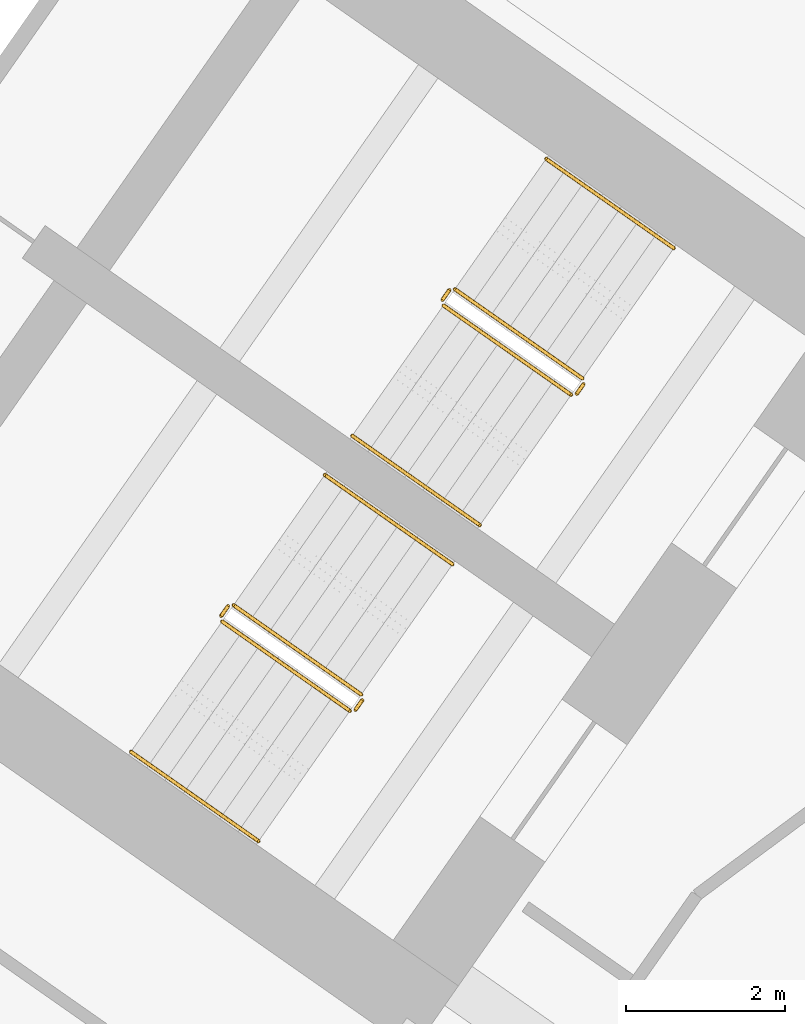
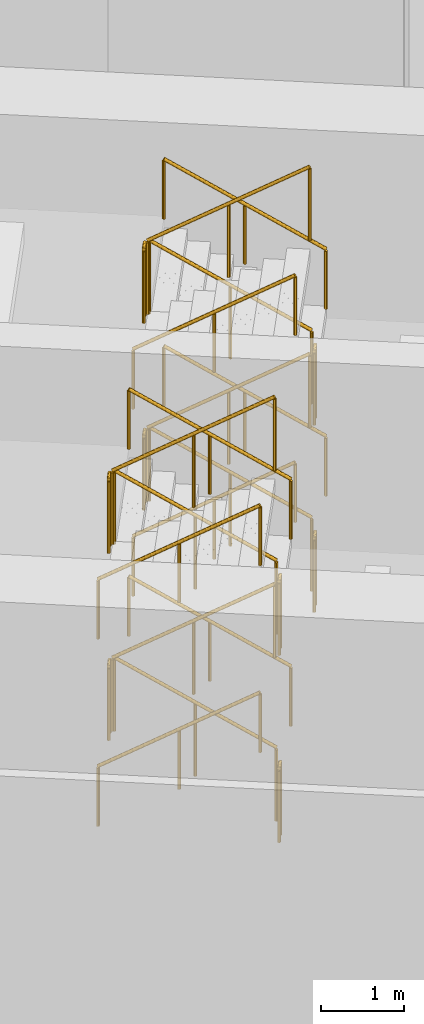
# One storey, part 15 of 15: 24 railings.
"""IFC4 building model written with IfcOpenShell, lengths in metres."""

from ifc_helpers import new_model, si_unit, direction, frame, origin, origin_2d, place, context, subcontext, project, spatial, circle, extrude, material, type_object, element, save


model = new_model("IFC4")

# Units and contexts
model_context = context("Model", 3, precision=1e-05, world=origin(), true_north=direction((0.0, 1.0)))
body_context = subcontext(model_context, "Body", "Model", "MODEL_VIEW")
ifc_project = project(units=[si_unit("LENGTHUNIT", "METRE"), si_unit("AREAUNIT", "SQUARE_METRE"), si_unit("VOLUMEUNIT", "CUBIC_METRE"), si_unit("PLANEANGLEUNIT", "RADIAN"), si_unit("MASSUNIT", "GRAM", prefix="KILO")], contexts=[model_context])

# Site, building, storey
site_placement = place(None, origin())
site = spatial("IfcSite", under=ifc_project, at=site_placement, CompositionType="ELEMENT")
building_placement = place(site_placement, origin())
building = spatial("IfcBuilding", under=site, at=building_placement, Name="Tel Ilan Convention Tower", CompositionType="ELEMENT")
storey_placement = place(building_placement, frame((0.0, 0.0, 43.0)))
storey = spatial("IfcBuildingStorey", under=building, at=storey_placement, Name="L06", CompositionType="ELEMENT", Elevation=43.0)

# Railings
ifc_material_1 = material(Name="Stainless Steel Grade 316", Category="steel")
railing_type_1 = type_object("IfcRailingType", Name="Stainless Steel Stair Guard 1100 mm", PredefinedType="GUARDRAIL", material=ifc_material_1)
railing_1_placement = place(storey_placement, frame((23.6787109375, -7.8515625, 0.171875)))
element("IfcRailing", 1, at=railing_1_placement, inside=storey, type_object=railing_type_1, Name="L06 S3 stair guard 1", PredefinedType="GUARDRAIL", context=body_context, shape_type="SweptSolid", body=[
    extrude(circle(Radius=0.02392578125, at=origin_2d()), frame((0.0, 0.0, 1.076171875), z_axis=(-0.698094737943, 0.488857400886, 0.523146421621), x_axis=(-0.573612813533, -0.819126571508, 0.0)), (0.0, 0.0, 1.0), 2.2998046875),
    extrude(circle(Radius=0.02099609375, at=origin_2d()), origin(), (0.0, 0.0, 1.0), 1.052001953125),
    extrude(circle(Radius=0.02099609375, at=origin_2d()), frame((-0.802734375, 0.56201171875, 0.6015625)), (0.0, 0.0, 1.0), 1.052001953125),
    extrude(circle(Radius=0.02099609375, at=origin_2d()), frame((-1.60546875, 1.124267578125, 1.203125)), (0.0, 0.0, 1.0), 1.052001953125),
])
railing_2_placement = place(storey_placement, frame((22.003662109375, -6.739501953125, 1.375)))
element("IfcRailing", 2, at=railing_2_placement, inside=storey, type_object=railing_type_1, Name="L06 S3 stair guard 2", PredefinedType="GUARDRAIL", context=body_context, shape_type="SweptSolid", body=[
    extrude(circle(Radius=0.02392578125, at=origin_2d()), frame((0.0, 0.0, 1.076171875), z_axis=(-0.57368046593, -0.819079192149, 0.0), x_axis=(0.819079192149, -0.57368046593, 0.0)), (0.0, 0.0, 1.0), 0.150146484375),
    extrude(circle(Radius=0.02099609375, at=origin_2d()), origin(), (0.0, 0.0, 1.0), 1.052001953125),
    extrude(circle(Radius=0.02099609375, at=origin_2d()), frame((-0.086181640625, -0.123046875, 0.0)), (0.0, 0.0, 1.0), 1.052001953125),
])
railing_3_placement = place(storey_placement, frame((21.929931640625, -6.93212890625, 1.546875)))
element("IfcRailing", 3, at=railing_3_placement, inside=storey, type_object=railing_type_1, Name="L06 S3 stair guard 3", PredefinedType="GUARDRAIL", context=body_context, shape_type="SweptSolid", body=[
    extrude(circle(Radius=0.02392578125, at=origin_2d()), frame((0.0, 0.0, 1.076171875), z_axis=(0.698094737943, -0.488857400886, 0.523146421621), x_axis=(0.573612813533, 0.819126571508, 0.0)), (0.0, 0.0, 1.0), 2.2998046875),
    extrude(circle(Radius=0.02099609375, at=origin_2d()), origin(), (0.0, 0.0, 1.0), 1.052001953125),
    extrude(circle(Radius=0.02099609375, at=origin_2d()), frame((0.802734375, -0.56201171875, 0.6015625)), (0.0, 0.0, 1.0), 1.052001953125),
    extrude(circle(Radius=0.02099609375, at=origin_2d()), frame((1.60546875, -1.124267578125, 1.203125)), (0.0, 0.0, 1.0), 1.052001953125),
])
railing_4_placement = place(storey_placement, frame((23.691162109375, -7.921142578125, 2.75)))
element("IfcRailing", 4, at=railing_4_placement, inside=storey, type_object=railing_type_1, Name="L06 S3 stair guard 4", PredefinedType="GUARDRAIL", context=body_context, shape_type="SweptSolid", body=[
    extrude(circle(Radius=0.02392578125, at=origin_2d()), frame((0.0, 0.0, 1.076171875), z_axis=(-0.574444878118, -0.818543268254, 0.0), x_axis=(0.818543268254, -0.574444878118, 0.0)), (0.0, 0.0, 1.0), 0.150146484375),
    extrude(circle(Radius=0.02099609375, at=origin_2d()), origin(), (0.0, 0.0, 1.0), 1.052001953125),
    extrude(circle(Radius=0.02099609375, at=origin_2d()), frame((-0.086181640625, -0.122802734375, 0.0)), (0.0, 0.0, 1.0), 1.052001953125),
])
railing_5_placement = place(storey_placement, frame((23.6787109375, -7.8515625, 2.921875)))
element("IfcRailing", 5, at=railing_5_placement, inside=storey, type_object=railing_type_1, Name="L06 S3 stair guard 5", PredefinedType="GUARDRAIL", context=body_context, shape_type="SweptSolid", body=[
    extrude(circle(Radius=0.02392578125, at=origin_2d()), frame((0.0, 0.0, 1.076171875), z_axis=(-0.698094737943, 0.488857400886, 0.523146421621), x_axis=(-0.573612813533, -0.819126571508, 0.0)), (0.0, 0.0, 1.0), 2.2998046875),
    extrude(circle(Radius=0.02099609375, at=origin_2d()), origin(), (0.0, 0.0, 1.0), 1.052001953125),
    extrude(circle(Radius=0.02099609375, at=origin_2d()), frame((-0.802734375, 0.56201171875, 0.6015625)), (0.0, 0.0, 1.0), 1.052001953125),
    extrude(circle(Radius=0.02099609375, at=origin_2d()), frame((-1.60546875, 1.124267578125, 1.203125)), (0.0, 0.0, 1.0), 1.052001953125),
])
railing_6_placement = place(storey_placement, frame((22.003662109375, -6.739501953125, 4.125)))
element("IfcRailing", 6, at=railing_6_placement, inside=storey, type_object=railing_type_1, Name="L06 S3 stair guard 6", PredefinedType="GUARDRAIL", context=body_context, shape_type="SweptSolid", body=[
    extrude(circle(Radius=0.02392578125, at=origin_2d()), frame((0.0, 0.0, 1.076171875), z_axis=(-0.57368046593, -0.819079192149, 0.0), x_axis=(0.819079192149, -0.57368046593, 0.0)), (0.0, 0.0, 1.0), 0.150146484375),
    extrude(circle(Radius=0.02099609375, at=origin_2d()), origin(), (0.0, 0.0, 1.0), 1.052001953125),
    extrude(circle(Radius=0.02099609375, at=origin_2d()), frame((-0.086181640625, -0.123046875, 0.0)), (0.0, 0.0, 1.0), 1.052001953125),
])
railing_7_placement = place(storey_placement, frame((21.929931640625, -6.93212890625, 4.296875)))
element("IfcRailing", 7, at=railing_7_placement, inside=storey, type_object=railing_type_1, Name="L06 S3 stair guard 7", PredefinedType="GUARDRAIL", context=body_context, shape_type="SweptSolid", body=[
    extrude(circle(Radius=0.02392578125, at=origin_2d()), frame((0.0, 0.0, 1.076171875), z_axis=(0.698094737943, -0.488857400886, 0.523146421621), x_axis=(0.573612813533, 0.819126571508, 0.0)), (0.0, 0.0, 1.0), 2.2998046875),
    extrude(circle(Radius=0.02099609375, at=origin_2d()), origin(), (0.0, 0.0, 1.0), 1.052001953125),
    extrude(circle(Radius=0.02099609375, at=origin_2d()), frame((0.802734375, -0.56201171875, 0.6015625)), (0.0, 0.0, 1.0), 1.052001953125),
    extrude(circle(Radius=0.02099609375, at=origin_2d()), frame((1.60546875, -1.124267578125, 1.203125)), (0.0, 0.0, 1.0), 1.052001953125),
])
railing_8_placement = place(storey_placement, frame((23.691162109375, -7.921142578125, 0.0)))
element("IfcRailing", 8, at=railing_8_placement, inside=storey, type_object=railing_type_1, Name="L06 S3 stair guard 8", PredefinedType="GUARDRAIL", context=body_context, shape_type="SweptSolid", body=[
    extrude(circle(Radius=0.02392578125, at=origin_2d()), frame((0.0, 0.0, 1.076171875), z_axis=(-0.574444878118, -0.818543268254, 0.0), x_axis=(0.818543268254, -0.574444878118, 0.0)), (0.0, 0.0, 1.0), 0.150146484375),
    extrude(circle(Radius=0.02099609375, at=origin_2d()), origin(), (0.0, 0.0, 1.0), 1.052001953125),
    extrude(circle(Radius=0.02099609375, at=origin_2d()), frame((-0.086181640625, -0.122802734375, 0.0)), (0.0, 0.0, 1.0), 1.052001953125),
])
railing_9_placement = place(storey_placement, frame((20.89697265625, -11.824462890625, 0.171875)))
element("IfcRailing", 9, at=railing_9_placement, inside=storey, type_object=railing_type_1, Name="L06 S4 stair guard 1", PredefinedType="GUARDRAIL", context=body_context, shape_type="SweptSolid", body=[
    extrude(circle(Radius=0.02392578125, at=origin_2d()), frame((0.0, 0.0, 1.076171875), z_axis=(-0.698094737943, 0.488857400886, 0.523146421621), x_axis=(-0.573612813533, -0.819126571508, 0.0)), (0.0, 0.0, 1.0), 2.2998046875),
    extrude(circle(Radius=0.02099609375, at=origin_2d()), origin(), (0.0, 0.0, 1.0), 1.052001953125),
    extrude(circle(Radius=0.02099609375, at=origin_2d()), frame((-0.802734375, 0.56201171875, 0.6015625)), (0.0, 0.0, 1.0), 1.052001953125),
    extrude(circle(Radius=0.02099609375, at=origin_2d()), frame((-1.60546875, 1.124267578125, 1.203125)), (0.0, 0.0, 1.0), 1.052001953125),
])
railing_10_placement = place(storey_placement, frame((19.2216796875, -10.71240234375, 1.375)))
element("IfcRailing", 10, at=railing_10_placement, inside=storey, type_object=railing_type_1, Name="L06 S4 stair guard 2", PredefinedType="GUARDRAIL", context=body_context, shape_type="SweptSolid", body=[
    extrude(circle(Radius=0.02392578125, at=origin_2d()), frame((0.0, 0.0, 1.076171875), z_axis=(-0.572588637393, -0.819842821722, 0.0), x_axis=(0.819842821722, -0.572588637393, 0.0)), (0.0, 0.0, 1.0), 0.150146484375),
    extrude(circle(Radius=0.02099609375, at=origin_2d()), origin(), (0.0, 0.0, 1.0), 1.052001953125),
    extrude(circle(Radius=0.02099609375, at=origin_2d()), frame((-0.0859375, -0.123046875, 0.0)), (0.0, 0.0, 1.0), 1.052001953125),
])
railing_11_placement = place(storey_placement, frame((19.14794921875, -10.905029296875, 1.546875)))
element("IfcRailing", 11, at=railing_11_placement, inside=storey, type_object=railing_type_1, Name="L06 S4 stair guard 3", PredefinedType="GUARDRAIL", context=body_context, shape_type="SweptSolid", body=[
    extrude(circle(Radius=0.02392578125, at=origin_2d()), frame((0.0, 0.0, 1.076171875), z_axis=(0.698149155229, -0.488821173762, 0.523107653485), x_axis=(0.573554290663, 0.819167550421, 0.0)), (0.0, 0.0, 1.0), 2.300048828125),
    extrude(circle(Radius=0.02099609375, at=origin_2d()), origin(), (0.0, 0.0, 1.0), 1.052001953125),
    extrude(circle(Radius=0.02099609375, at=origin_2d()), frame((0.802734375, -0.56201171875, 0.6015625)), (0.0, 0.0, 1.0), 1.052001953125),
    extrude(circle(Radius=0.02099609375, at=origin_2d()), frame((1.605712890625, -1.124267578125, 1.203125)), (0.0, 0.0, 1.0), 1.052001953125),
])
railing_12_placement = place(storey_placement, frame((20.9091796875, -11.89404296875, 2.75)))
element("IfcRailing", 12, at=railing_12_placement, inside=storey, type_object=railing_type_1, Name="L06 S4 stair guard 4", PredefinedType="GUARDRAIL", context=body_context, shape_type="SweptSolid", body=[
    extrude(circle(Radius=0.02392578125, at=origin_2d()), frame((0.0, 0.0, 1.076171875), z_axis=(-0.573353020881, -0.819308436089, 0.0), x_axis=(0.819308436089, -0.573353020881, 0.0)), (0.0, 0.0, 1.0), 0.14990234375),
    extrude(circle(Radius=0.02099609375, at=origin_2d()), origin(), (0.0, 0.0, 1.0), 1.052001953125),
    extrude(circle(Radius=0.02099609375, at=origin_2d()), frame((-0.0859375, -0.122802734375, 0.0)), (0.0, 0.0, 1.0), 1.052001953125),
])
railing_13_placement = place(storey_placement, frame((20.89697265625, -11.824462890625, 2.921875)))
element("IfcRailing", 13, at=railing_13_placement, inside=storey, type_object=railing_type_1, Name="L06 S4 stair guard 5", PredefinedType="GUARDRAIL", context=body_context, shape_type="SweptSolid", body=[
    extrude(circle(Radius=0.02392578125, at=origin_2d()), frame((0.0, 0.0, 1.076171875), z_axis=(-0.698094737943, 0.488857400886, 0.523146421621), x_axis=(-0.573612813533, -0.819126571508, 0.0)), (0.0, 0.0, 1.0), 2.2998046875),
    extrude(circle(Radius=0.02099609375, at=origin_2d()), origin(), (0.0, 0.0, 1.0), 1.052001953125),
    extrude(circle(Radius=0.02099609375, at=origin_2d()), frame((-0.802734375, 0.56201171875, 0.6015625)), (0.0, 0.0, 1.0), 1.052001953125),
    extrude(circle(Radius=0.02099609375, at=origin_2d()), frame((-1.60546875, 1.124267578125, 1.203125)), (0.0, 0.0, 1.0), 1.052001953125),
])
railing_14_placement = place(storey_placement, frame((19.2216796875, -10.71240234375, 4.125)))
element("IfcRailing", 14, at=railing_14_placement, inside=storey, type_object=railing_type_1, Name="L06 S4 stair guard 6", PredefinedType="GUARDRAIL", context=body_context, shape_type="SweptSolid", body=[
    extrude(circle(Radius=0.02392578125, at=origin_2d()), frame((0.0, 0.0, 1.076171875), z_axis=(-0.572588637393, -0.819842821722, 0.0), x_axis=(0.819842821722, -0.572588637393, 0.0)), (0.0, 0.0, 1.0), 0.150146484375),
    extrude(circle(Radius=0.02099609375, at=origin_2d()), origin(), (0.0, 0.0, 1.0), 1.052001953125),
    extrude(circle(Radius=0.02099609375, at=origin_2d()), frame((-0.0859375, -0.123046875, 0.0)), (0.0, 0.0, 1.0), 1.052001953125),
])
railing_15_placement = place(storey_placement, frame((19.14794921875, -10.905029296875, 4.296875)))
element("IfcRailing", 15, at=railing_15_placement, inside=storey, type_object=railing_type_1, Name="L06 S4 stair guard 7", PredefinedType="GUARDRAIL", context=body_context, shape_type="SweptSolid", body=[
    extrude(circle(Radius=0.02392578125, at=origin_2d()), frame((0.0, 0.0, 1.076171875), z_axis=(0.698149155229, -0.488821173762, 0.523107653485), x_axis=(0.573554290663, 0.819167550421, 0.0)), (0.0, 0.0, 1.0), 2.300048828125),
    extrude(circle(Radius=0.02099609375, at=origin_2d()), origin(), (0.0, 0.0, 1.0), 1.052001953125),
    extrude(circle(Radius=0.02099609375, at=origin_2d()), frame((0.802734375, -0.56201171875, 0.6015625)), (0.0, 0.0, 1.0), 1.052001953125),
    extrude(circle(Radius=0.02099609375, at=origin_2d()), frame((1.605712890625, -1.124267578125, 1.203125)), (0.0, 0.0, 1.0), 1.052001953125),
])
railing_16_placement = place(storey_placement, frame((20.9091796875, -11.89404296875, 0.0)))
element("IfcRailing", 16, at=railing_16_placement, inside=storey, type_object=railing_type_1, Name="L06 S4 stair guard 8", PredefinedType="GUARDRAIL", context=body_context, shape_type="SweptSolid", body=[
    extrude(circle(Radius=0.02392578125, at=origin_2d()), frame((0.0, 0.0, 1.076171875), z_axis=(-0.573353020881, -0.819308436089, 0.0), x_axis=(0.819308436089, -0.573353020881, 0.0)), (0.0, 0.0, 1.0), 0.14990234375),
    extrude(circle(Radius=0.02099609375, at=origin_2d()), origin(), (0.0, 0.0, 1.0), 1.052001953125),
    extrude(circle(Radius=0.02099609375, at=origin_2d()), frame((-0.0859375, -0.122802734375, 0.0)), (0.0, 0.0, 1.0), 1.052001953125),
])
ifc_material_2 = material(Name="Stainless Steel Grade 316", Category="steel")
railing_type_2 = type_object("IfcRailingType", Name="Stainless Steel Stair Handrail 900 mm", PredefinedType="HANDRAIL", material=ifc_material_2)
railing_17_placement = place(storey_placement, frame((24.825927734375, -6.213134765625, 0.171875)))
element("IfcRailing", 17, at=railing_17_placement, inside=storey, type_object=railing_type_2, Name="L06 S3 stair handrail 1", PredefinedType="HANDRAIL", context=body_context, shape_type="SweptSolid", body=[
    extrude(circle(Radius=0.02392578125, at=origin_2d()), frame((0.0, 0.0, 0.8759765625), z_axis=(-0.698130965226, 0.488776606433, 0.523173570048), x_axis=(-0.573529226717, -0.819185098803, 0.0)), (0.0, 0.0, 1.0), 2.299560546875),
    extrude(circle(Radius=0.02099609375, at=origin_2d()), origin(), (0.0, 0.0, 1.0), 0.851806640625),
    extrude(circle(Radius=0.02099609375, at=origin_2d()), frame((-0.802734375, 0.56201171875, 0.6015625)), (0.0, 0.0, 1.0), 0.851806640625),
    extrude(circle(Radius=0.02099609375, at=origin_2d()), frame((-1.60546875, 1.1240234375, 1.203125)), (0.0, 0.0, 1.0), 0.851806640625),
])
railing_18_placement = place(storey_placement, frame((20.78271484375, -8.5703125, 1.546875)))
element("IfcRailing", 18, at=railing_18_placement, inside=storey, type_object=railing_type_2, Name="L06 S3 stair handrail 2", PredefinedType="HANDRAIL", context=body_context, shape_type="SweptSolid", body=[
    extrude(circle(Radius=0.02392578125, at=origin_2d()), frame((0.0, 0.0, 0.8759765625), z_axis=(0.698094737943, -0.488857400886, 0.523146421621), x_axis=(0.573612813533, 0.819126571508, 0.0)), (0.0, 0.0, 1.0), 2.2998046875),
    extrude(circle(Radius=0.02099609375, at=origin_2d()), origin(), (0.0, 0.0, 1.0), 0.851806640625),
    extrude(circle(Radius=0.02099609375, at=origin_2d()), frame((0.802734375, -0.56201171875, 0.6015625)), (0.0, 0.0, 1.0), 0.851806640625),
    extrude(circle(Radius=0.02099609375, at=origin_2d()), frame((1.60546875, -1.124267578125, 1.203125)), (0.0, 0.0, 1.0), 0.851806640625),
])
railing_19_placement = place(storey_placement, frame((24.825927734375, -6.213134765625, 2.921875)))
element("IfcRailing", 19, at=railing_19_placement, inside=storey, type_object=railing_type_2, Name="L06 S3 stair handrail 3", PredefinedType="HANDRAIL", context=body_context, shape_type="SweptSolid", body=[
    extrude(circle(Radius=0.02392578125, at=origin_2d()), frame((0.0, 0.0, 0.8759765625), z_axis=(-0.698130965226, 0.488776606433, 0.523173570048), x_axis=(-0.573529226717, -0.819185098803, 0.0)), (0.0, 0.0, 1.0), 2.299560546875),
    extrude(circle(Radius=0.02099609375, at=origin_2d()), origin(), (0.0, 0.0, 1.0), 0.851806640625),
    extrude(circle(Radius=0.02099609375, at=origin_2d()), frame((-0.802734375, 0.56201171875, 0.6015625)), (0.0, 0.0, 1.0), 0.851806640625),
    extrude(circle(Radius=0.02099609375, at=origin_2d()), frame((-1.60546875, 1.1240234375, 1.203125)), (0.0, 0.0, 1.0), 0.851806640625),
])
railing_20_placement = place(storey_placement, frame((20.78271484375, -8.5703125, 4.296875)))
element("IfcRailing", 20, at=railing_20_placement, inside=storey, type_object=railing_type_2, Name="L06 S3 stair handrail 4", PredefinedType="HANDRAIL", context=body_context, shape_type="SweptSolid", body=[
    extrude(circle(Radius=0.02392578125, at=origin_2d()), frame((0.0, 0.0, 0.8759765625), z_axis=(0.698094737943, -0.488857400886, 0.523146421621), x_axis=(0.573612813533, 0.819126571508, 0.0)), (0.0, 0.0, 1.0), 2.2998046875),
    extrude(circle(Radius=0.02099609375, at=origin_2d()), origin(), (0.0, 0.0, 1.0), 0.851806640625),
    extrude(circle(Radius=0.02099609375, at=origin_2d()), frame((0.802734375, -0.56201171875, 0.6015625)), (0.0, 0.0, 1.0), 0.851806640625),
    extrude(circle(Radius=0.02099609375, at=origin_2d()), frame((1.60546875, -1.124267578125, 1.203125)), (0.0, 0.0, 1.0), 0.851806640625),
])
railing_21_placement = place(storey_placement, frame((22.044189453125, -10.18603515625, 0.171875)))
element("IfcRailing", 21, at=railing_21_placement, inside=storey, type_object=railing_type_2, Name="L06 S4 stair handrail 1", PredefinedType="HANDRAIL", context=body_context, shape_type="SweptSolid", body=[
    extrude(circle(Radius=0.02392578125, at=origin_2d()), frame((0.0, 0.0, 0.8759765625), z_axis=(-0.698185379967, 0.488740381537, 0.523134795876), x_axis=(-0.573470704013, -0.8192260687, 0.0)), (0.0, 0.0, 1.0), 2.2998046875),
    extrude(circle(Radius=0.02099609375, at=origin_2d()), origin(), (0.0, 0.0, 1.0), 0.851806640625),
    extrude(circle(Radius=0.02099609375, at=origin_2d()), frame((-0.802734375, 0.56201171875, 0.6015625)), (0.0, 0.0, 1.0), 0.851806640625),
    extrude(circle(Radius=0.02099609375, at=origin_2d()), frame((-1.605712890625, 1.1240234375, 1.203125)), (0.0, 0.0, 1.0), 0.851806640625),
])
railing_22_placement = place(storey_placement, frame((18.0009765625, -12.543212890625, 1.546875)))
element("IfcRailing", 22, at=railing_22_placement, inside=storey, type_object=railing_type_2, Name="L06 S4 stair handrail 2", PredefinedType="HANDRAIL", context=body_context, shape_type="SweptSolid", body=[
    extrude(circle(Radius=0.02392578125, at=origin_2d()), frame((0.0, 0.0, 0.8759765625), z_axis=(0.698094737943, -0.488857400886, 0.523146421621), x_axis=(0.573612813533, 0.819126571508, 0.0)), (0.0, 0.0, 1.0), 2.2998046875),
    extrude(circle(Radius=0.02099609375, at=origin_2d()), origin(), (0.0, 0.0, 1.0), 0.851806640625),
    extrude(circle(Radius=0.02099609375, at=origin_2d()), frame((0.802734375, -0.56201171875, 0.6015625)), (0.0, 0.0, 1.0), 0.851806640625),
    extrude(circle(Radius=0.02099609375, at=origin_2d()), frame((1.60546875, -1.124267578125, 1.203125)), (0.0, 0.0, 1.0), 0.851806640625),
])
railing_23_placement = place(storey_placement, frame((22.044189453125, -10.18603515625, 2.921875)))
element("IfcRailing", 23, at=railing_23_placement, inside=storey, type_object=railing_type_2, Name="L06 S4 stair handrail 3", PredefinedType="HANDRAIL", context=body_context, shape_type="SweptSolid", body=[
    extrude(circle(Radius=0.02392578125, at=origin_2d()), frame((0.0, 0.0, 0.8759765625), z_axis=(-0.698185379967, 0.488740381537, 0.523134795876), x_axis=(-0.573470704013, -0.8192260687, 0.0)), (0.0, 0.0, 1.0), 2.2998046875),
    extrude(circle(Radius=0.02099609375, at=origin_2d()), origin(), (0.0, 0.0, 1.0), 0.851806640625),
    extrude(circle(Radius=0.02099609375, at=origin_2d()), frame((-0.802734375, 0.56201171875, 0.6015625)), (0.0, 0.0, 1.0), 0.851806640625),
    extrude(circle(Radius=0.02099609375, at=origin_2d()), frame((-1.605712890625, 1.1240234375, 1.203125)), (0.0, 0.0, 1.0), 0.851806640625),
])
railing_24_placement = place(storey_placement, frame((18.0009765625, -12.543212890625, 4.296875)))
element("IfcRailing", 24, at=railing_24_placement, inside=storey, type_object=railing_type_2, Name="L06 S4 stair handrail 4", PredefinedType="HANDRAIL", context=body_context, shape_type="SweptSolid", body=[
    extrude(circle(Radius=0.02392578125, at=origin_2d()), frame((0.0, 0.0, 0.8759765625), z_axis=(0.698094737943, -0.488857400886, 0.523146421621), x_axis=(0.573612813533, 0.819126571508, 0.0)), (0.0, 0.0, 1.0), 2.2998046875),
    extrude(circle(Radius=0.02099609375, at=origin_2d()), origin(), (0.0, 0.0, 1.0), 0.851806640625),
    extrude(circle(Radius=0.02099609375, at=origin_2d()), frame((0.802734375, -0.56201171875, 0.6015625)), (0.0, 0.0, 1.0), 0.851806640625),
    extrude(circle(Radius=0.02099609375, at=origin_2d()), frame((1.60546875, -1.124267578125, 1.203125)), (0.0, 0.0, 1.0), 0.851806640625),
])

save(model, "model.ifc")
